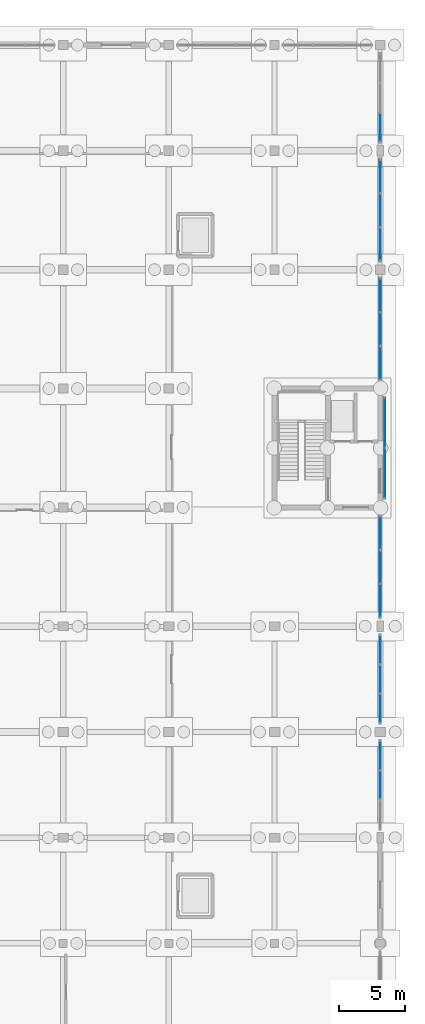
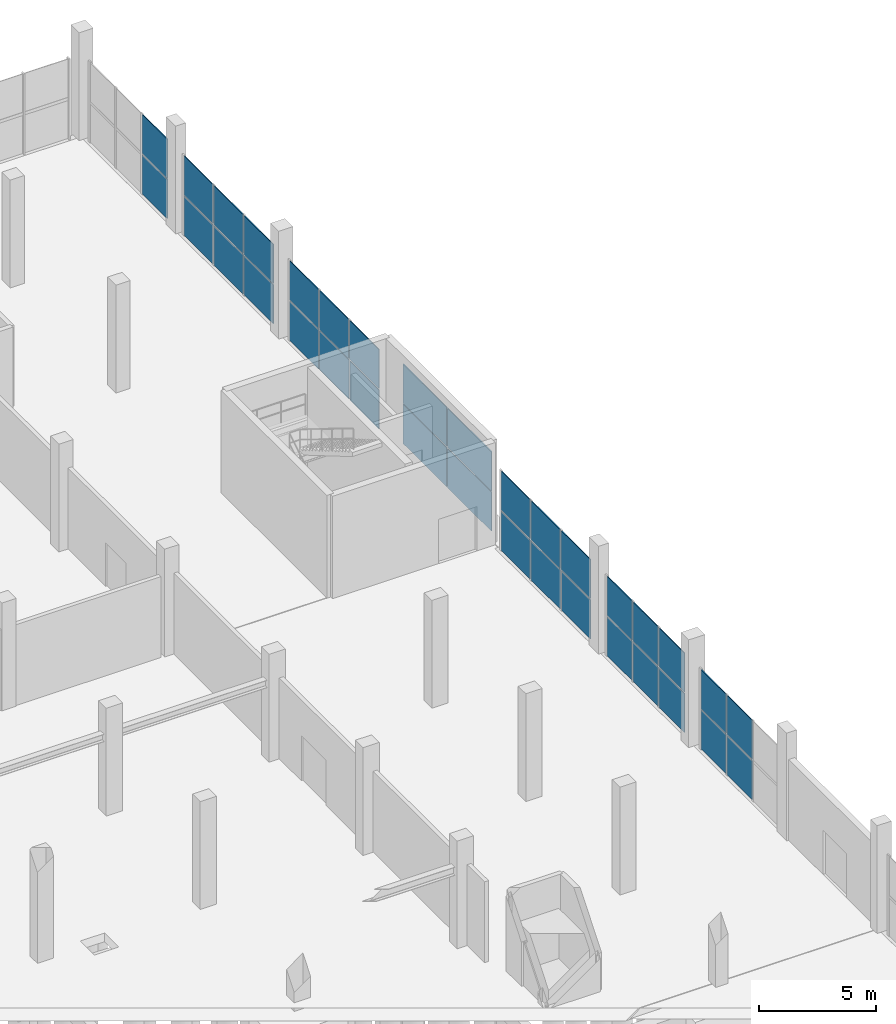
# One storey, part 69 of 98: 34 plates, 7 elements without a shape of their own.
"""IFC4 building model written with IfcOpenShell, lengths in metres."""

from ifc_helpers import new_model, si_unit, derived_unit, direction, frame, origin, origin_2d, place, context, subcontext, project, spatial, rectangle, extrude, material, layer, layer_set, type_object, element, aggregate, save


model = new_model("IFC4")

# Units and contexts
model_context = context("Model", 3, precision=1e-05, world=origin(), true_north=direction((0.0, 1.0)))
body_context = subcontext(model_context, "Body", "Model", "MODEL_VIEW")
ifc_project = project(units=[si_unit("LENGTHUNIT", "METRE"), si_unit("AREAUNIT", "SQUARE_METRE"), si_unit("VOLUMEUNIT", "CUBIC_METRE"), si_unit("PLANEANGLEUNIT", "RADIAN"), si_unit("MASSUNIT", "GRAM", prefix="KILO"), si_unit("THERMODYNAMICTEMPERATUREUNIT", "KELVIN"), derived_unit("THERMALTRANSMITTANCEUNIT", [(si_unit("POWERUNIT", "WATT"), 1), (si_unit("AREAUNIT", "SQUARE_METRE"), -1), (si_unit("THERMODYNAMICTEMPERATUREUNIT", "KELVIN"), -1)])], contexts=[model_context])

# Site, building, storey
site_placement = place(None, origin())
site = spatial("IfcSite", under=ifc_project, at=site_placement, CompositionType="ELEMENT")
building_placement = place(site_placement, origin())
building = spatial("IfcBuilding", under=site, at=building_placement, Name="Haiyu Intermodal Mobility Hub", CompositionType="ELEMENT")
storey_placement = place(building_placement, origin())
storey = spatial("IfcBuildingStorey", under=building, at=storey_placement, Name="L00", CompositionType="ELEMENT", Elevation=0.0)

# Curtain wall, plates
ifc_material = material(Name="Low-e laminated insulating glass", Category="glass")
ifc_layer_1 = layer(ifc_material, 0.2099609375)
ifc_layer_set_1 = layer_set([ifc_layer_1], Name="Low-e laminated insulating glass")
curtain_wall_type = type_object("IfcCurtainWallType", Name="CW-CW04", PredefinedType="NOTDEFINED", material=ifc_layer_set_1)
curtain_wall_1_placement = place(storey_placement, origin())
curtain_wall_1 = element("IfcCurtainWall", 1, at=curtain_wall_1_placement, inside=storey, type_object=curtain_wall_type, Name="Curtain Wall CW-V6E-L00-130", PredefinedType="NOTDEFINED")
ifc_layer_2 = layer(ifc_material, 0.035888671875)
ifc_layer_set_2 = layer_set([ifc_layer_2], Name="Low-e laminated insulating glass")
plate_type_1 = type_object("IfcPlateType", Name="PLT-CP01", PredefinedType="CURTAIN_PANEL", material=ifc_layer_set_2)
plate_1_placement = place(storey_placement, frame((210.0, 92.0, 0.03515625), z_axis=(0.0, 0.0, 1.0), x_axis=(0.0, 1.0, 0.0)))
plate_1 = element("IfcPlate", 2, at=plate_1_placement, type_object=plate_type_1, Name="CW-V6E-L00-130-PN03", PredefinedType="CURTAIN_PANEL", context=body_context, shape_type="SweptSolid", body=[
    extrude(rectangle(XDim=2.136962890625, YDim=0.035888671875, at=origin_2d()), origin(), (0.0, 0.0, 1.0), 2.030029296875),
])
plate_2_placement = place(storey_placement, frame((210.0, 94.22705078125, 0.03515625), z_axis=(0.0, 0.0, 1.0), x_axis=(0.0, 1.0, 0.0)))
plate_2 = element("IfcPlate", 3, at=plate_2_placement, type_object=plate_type_1, Name="CW-V6E-L00-130-PN05", PredefinedType="CURTAIN_PANEL", context=body_context, shape_type="SweptSolid", body=[
    extrude(rectangle(XDim=2.136962890625, YDim=0.035888671875, at=origin_2d()), origin(), (0.0, 0.0, 1.0), 2.030029296875),
])

curtain_wall_2_placement = place(storey_placement, origin())
curtain_wall_2 = element("IfcCurtainWall", 4, at=curtain_wall_2_placement, inside=storey, type_object=curtain_wall_type, Name="Curtain Wall CW-V6E-L00-131", PredefinedType="NOTDEFINED")
plate_3_placement = place(storey_placement, frame((210.0, 97.77294921875, 0.03515625), z_axis=(0.0, 0.0, 1.0), x_axis=(0.0, 1.0, 0.0)))
plate_3 = element("IfcPlate", 5, at=plate_3_placement, type_object=plate_type_1, Name="CW-V6E-L00-131-PN01", PredefinedType="CURTAIN_PANEL", context=body_context, shape_type="SweptSolid", body=[
    extrude(rectangle(XDim=2.136962890625, YDim=0.035888671875, at=origin_2d()), origin(), (0.0, 0.0, 1.0), 2.030029296875),
])
plate_4_placement = place(storey_placement, frame((210.0, 100.0, 0.03515625), z_axis=(0.0, 0.0, 1.0), x_axis=(0.0, 1.0, 0.0)))
plate_4 = element("IfcPlate", 6, at=plate_4_placement, type_object=plate_type_1, Name="CW-V6E-L00-131-PN03", PredefinedType="CURTAIN_PANEL", context=body_context, shape_type="SweptSolid", body=[
    extrude(rectangle(XDim=2.136962890625, YDim=0.035888671875, at=origin_2d()), origin(), (0.0, 0.0, 1.0), 2.030029296875),
])
plate_5_placement = place(storey_placement, frame((210.0, 102.22705078125, 0.03515625), z_axis=(0.0, 0.0, 1.0), x_axis=(0.0, 1.0, 0.0)))
plate_5 = element("IfcPlate", 7, at=plate_5_placement, type_object=plate_type_1, Name="CW-V6E-L00-131-PN05", PredefinedType="CURTAIN_PANEL", context=body_context, shape_type="SweptSolid", body=[
    extrude(rectangle(XDim=2.136962890625, YDim=0.035888671875, at=origin_2d()), origin(), (0.0, 0.0, 1.0), 2.030029296875),
])

curtain_wall_3_placement = place(storey_placement, origin())
curtain_wall_3 = element("IfcCurtainWall", 8, at=curtain_wall_3_placement, inside=storey, type_object=curtain_wall_type, Name="Curtain Wall CW-V6E-L00-132", PredefinedType="NOTDEFINED")
plate_6_placement = place(storey_placement, frame((210.0, 105.93994140625, 0.03515625), z_axis=(0.0, 0.0, 1.0), x_axis=(0.0, 1.0, 0.0)))
plate_6 = element("IfcPlate", 9, at=plate_6_placement, type_object=plate_type_1, Name="CW-V6E-L00-132-PN01", PredefinedType="CURTAIN_PANEL", context=body_context, shape_type="SweptSolid", body=[
    extrude(rectangle(XDim=2.469970703125, YDim=0.035888671875, at=origin_2d()), origin(), (0.0, 0.0, 1.0), 2.030029296875),
])
plate_7_placement = place(storey_placement, frame((210.0, 108.5, 0.03515625), z_axis=(0.0, 0.0, 1.0), x_axis=(0.0, 1.0, 0.0)))
plate_7 = element("IfcPlate", 10, at=plate_7_placement, type_object=plate_type_1, Name="CW-V6E-L00-132-PN03", PredefinedType="CURTAIN_PANEL", context=body_context, shape_type="SweptSolid", body=[
    extrude(rectangle(XDim=2.469970703125, YDim=0.035888671875, at=origin_2d()), origin(), (0.0, 0.0, 1.0), 2.030029296875),
])
plate_8_placement = place(storey_placement, frame((210.0, 111.06005859375, 0.03515625), z_axis=(0.0, 0.0, 1.0), x_axis=(0.0, 1.0, 0.0)))
plate_8 = element("IfcPlate", 11, at=plate_8_placement, type_object=plate_type_1, Name="CW-V6E-L00-132-PN05", PredefinedType="CURTAIN_PANEL", context=body_context, shape_type="SweptSolid", body=[
    extrude(rectangle(XDim=2.469970703125, YDim=0.035888671875, at=origin_2d()), origin(), (0.0, 0.0, 1.0), 2.030029296875),
])

curtain_wall_4_placement = place(storey_placement, origin())
curtain_wall_4 = element("IfcCurtainWall", 12, at=curtain_wall_4_placement, inside=storey, type_object=curtain_wall_type, Name="Curtain Wall CW-V6E-L00-133", PredefinedType="NOTDEFINED")
plate_9_placement = place(storey_placement, frame((210.0, 123.93994140625, 0.03515625), z_axis=(0.0, 0.0, 1.0), x_axis=(0.0, 1.0, 0.0)))
plate_9 = element("IfcPlate", 13, at=plate_9_placement, type_object=plate_type_1, Name="CW-V6E-L00-133-PN01", PredefinedType="CURTAIN_PANEL", context=body_context, shape_type="SweptSolid", body=[
    extrude(rectangle(XDim=2.469970703125, YDim=0.035888671875, at=origin_2d()), origin(), (0.0, 0.0, 1.0), 2.030029296875),
])
plate_10_placement = place(storey_placement, frame((210.0, 126.5, 0.03515625), z_axis=(0.0, 0.0, 1.0), x_axis=(0.0, 1.0, 0.0)))
plate_10 = element("IfcPlate", 14, at=plate_10_placement, type_object=plate_type_1, Name="CW-V6E-L00-133-PN03", PredefinedType="CURTAIN_PANEL", context=body_context, shape_type="SweptSolid", body=[
    extrude(rectangle(XDim=2.469970703125, YDim=0.035888671875, at=origin_2d()), origin(), (0.0, 0.0, 1.0), 2.030029296875),
])
plate_11_placement = place(storey_placement, frame((210.0, 129.06005859375, 0.03515625), z_axis=(0.0, 0.0, 1.0), x_axis=(0.0, 1.0, 0.0)))
plate_11 = element("IfcPlate", 15, at=plate_11_placement, type_object=plate_type_1, Name="CW-V6E-L00-133-PN05", PredefinedType="CURTAIN_PANEL", context=body_context, shape_type="SweptSolid", body=[
    extrude(rectangle(XDim=2.469970703125, YDim=0.035888671875, at=origin_2d()), origin(), (0.0, 0.0, 1.0), 2.030029296875),
])

curtain_wall_5_placement = place(storey_placement, origin())
curtain_wall_5 = element("IfcCurtainWall", 16, at=curtain_wall_5_placement, inside=storey, type_object=curtain_wall_type, Name="Curtain Wall CW-V6E-L00-134", PredefinedType="NOTDEFINED")
plate_12_placement = place(storey_placement, frame((210.0, 132.93994140625, 0.03515625), z_axis=(0.0, 0.0, 1.0), x_axis=(0.0, 1.0, 0.0)))
plate_12 = element("IfcPlate", 17, at=plate_12_placement, type_object=plate_type_1, Name="CW-V6E-L00-134-PN01", PredefinedType="CURTAIN_PANEL", context=body_context, shape_type="SweptSolid", body=[
    extrude(rectangle(XDim=2.469970703125, YDim=0.035888671875, at=origin_2d()), origin(), (0.0, 0.0, 1.0), 2.030029296875),
])
plate_13_placement = place(storey_placement, frame((210.0, 135.5, 0.03515625), z_axis=(0.0, 0.0, 1.0), x_axis=(0.0, 1.0, 0.0)))
plate_13 = element("IfcPlate", 18, at=plate_13_placement, type_object=plate_type_1, Name="CW-V6E-L00-134-PN03", PredefinedType="CURTAIN_PANEL", context=body_context, shape_type="SweptSolid", body=[
    extrude(rectangle(XDim=2.469970703125, YDim=0.035888671875, at=origin_2d()), origin(), (0.0, 0.0, 1.0), 2.030029296875),
])
plate_14_placement = place(storey_placement, frame((210.0, 138.06005859375, 0.03515625), z_axis=(0.0, 0.0, 1.0), x_axis=(0.0, 1.0, 0.0)))
plate_14 = element("IfcPlate", 19, at=plate_14_placement, type_object=plate_type_1, Name="CW-V6E-L00-134-PN05", PredefinedType="CURTAIN_PANEL", context=body_context, shape_type="SweptSolid", body=[
    extrude(rectangle(XDim=2.469970703125, YDim=0.035888671875, at=origin_2d()), origin(), (0.0, 0.0, 1.0), 2.030029296875),
])

# Curtain wall, plate
curtain_wall_6_placement = place(storey_placement, origin())
curtain_wall_6 = element("IfcCurtainWall", 20, at=curtain_wall_6_placement, inside=storey, type_object=curtain_wall_type, Name="Curtain Wall CW-V6E-L00-135", PredefinedType="NOTDEFINED")
plate_15_placement = place(storey_placement, frame((210.0, 141.77294921875, 0.03515625), z_axis=(0.0, 0.0, 1.0), x_axis=(0.0, 1.0, 0.0)))
plate_15 = element("IfcPlate", 21, at=plate_15_placement, type_object=plate_type_1, Name="CW-V6E-L00-135-PN01", PredefinedType="CURTAIN_PANEL", context=body_context, shape_type="SweptSolid", body=[
    extrude(rectangle(XDim=2.136962890625, YDim=0.035888671875, at=origin_2d()), origin(), (0.0, 0.0, 1.0), 2.030029296875),
])

# Curtain wall, plates
curtain_wall_7_placement = place(storey_placement, origin())
curtain_wall_7 = element("IfcCurtainWall", 22, at=curtain_wall_7_placement, inside=storey, type_object=curtain_wall_type, Name="Curtain Wall CW-ECORE-L00-183", PredefinedType="NOTDEFINED")
plate_16_placement = place(storey_placement, frame((210.35009765625, 115.594970703125, 0.03515625), z_axis=(0.0, 0.0, 1.0), x_axis=(0.0, 1.0, 0.0)))
plate_16 = element("IfcPlate", 23, at=plate_16_placement, type_object=plate_type_1, Name="CW-ECORE-L00-183-PN01", PredefinedType="CURTAIN_PANEL", context=body_context, shape_type="SweptSolid", body=[
    extrude(rectangle(XDim=3.719970703125, YDim=0.035888671875, at=origin_2d()), origin(), (0.0, 0.0, 1.0), 2.030029296875),
])
plate_17_placement = place(storey_placement, frame((210.35009765625, 119.405029296875, 0.03515625), z_axis=(0.0, 0.0, 1.0), x_axis=(0.0, 1.0, 0.0)))
plate_17 = element("IfcPlate", 24, at=plate_17_placement, type_object=plate_type_1, Name="CW-ECORE-L00-183-PN03", PredefinedType="CURTAIN_PANEL", context=body_context, shape_type="SweptSolid", body=[
    extrude(rectangle(XDim=3.719970703125, YDim=0.035888671875, at=origin_2d()), origin(), (0.0, 0.0, 1.0), 2.030029296875),
])

# Plate
ifc_layer_3 = layer(ifc_material, 0.0439453125)
ifc_layer_set_3 = layer_set([ifc_layer_3], Name="Low-e laminated insulating glass")
plate_type_2 = type_object("IfcPlateType", Name="PLT-CP04", PredefinedType="CURTAIN_PANEL", material=ifc_layer_set_3)
plate_18_placement = place(storey_placement, frame((210.0, 92.0, 2.134765625), z_axis=(0.0, 0.0, 1.0), x_axis=(0.0, 1.0, 0.0)))
plate_18 = element("IfcPlate", 25, at=plate_18_placement, type_object=plate_type_2, Name="CW-V6E-L00-130-PN04", PredefinedType="CURTAIN_PANEL", context=body_context, shape_type="SweptSolid", body=[
    extrude(rectangle(XDim=2.136962890625, YDim=0.0439453125, at=origin_2d()), origin(), (0.0, 0.0, 1.0), 2.030029296875),
])

plate_19_placement = place(storey_placement, frame((210.0, 94.22705078125, 2.134765625), z_axis=(0.0, 0.0, 1.0), x_axis=(0.0, 1.0, 0.0)))
plate_19 = element("IfcPlate", 26, at=plate_19_placement, type_object=plate_type_2, Name="CW-V6E-L00-130-PN06", PredefinedType="CURTAIN_PANEL", context=body_context, shape_type="SweptSolid", body=[
    extrude(rectangle(XDim=2.136962890625, YDim=0.0439453125, at=origin_2d()), origin(), (0.0, 0.0, 1.0), 2.030029296875),
])

aggregate(curtain_wall_1, [plate_1, plate_18, plate_2, plate_19])

plate_20_placement = place(storey_placement, frame((210.0, 97.77294921875, 2.134765625), z_axis=(0.0, 0.0, 1.0), x_axis=(0.0, 1.0, 0.0)))
plate_20 = element("IfcPlate", 27, at=plate_20_placement, type_object=plate_type_2, Name="CW-V6E-L00-131-PN02", PredefinedType="CURTAIN_PANEL", context=body_context, shape_type="SweptSolid", body=[
    extrude(rectangle(XDim=2.136962890625, YDim=0.0439453125, at=origin_2d()), origin(), (0.0, 0.0, 1.0), 2.030029296875),
])

plate_21_placement = place(storey_placement, frame((210.0, 100.0, 2.134765625), z_axis=(0.0, 0.0, 1.0), x_axis=(0.0, 1.0, 0.0)))
plate_21 = element("IfcPlate", 28, at=plate_21_placement, type_object=plate_type_2, Name="CW-V6E-L00-131-PN04", PredefinedType="CURTAIN_PANEL", context=body_context, shape_type="SweptSolid", body=[
    extrude(rectangle(XDim=2.136962890625, YDim=0.0439453125, at=origin_2d()), origin(), (0.0, 0.0, 1.0), 2.030029296875),
])

plate_22_placement = place(storey_placement, frame((210.0, 102.22705078125, 2.134765625), z_axis=(0.0, 0.0, 1.0), x_axis=(0.0, 1.0, 0.0)))
plate_22 = element("IfcPlate", 29, at=plate_22_placement, type_object=plate_type_2, Name="CW-V6E-L00-131-PN06", PredefinedType="CURTAIN_PANEL", context=body_context, shape_type="SweptSolid", body=[
    extrude(rectangle(XDim=2.136962890625, YDim=0.0439453125, at=origin_2d()), origin(), (0.0, 0.0, 1.0), 2.030029296875),
])

aggregate(curtain_wall_2, [plate_3, plate_20, plate_4, plate_21, plate_5, plate_22])

plate_23_placement = place(storey_placement, frame((210.0, 105.93994140625, 2.134765625), z_axis=(0.0, 0.0, 1.0), x_axis=(0.0, 1.0, 0.0)))
plate_23 = element("IfcPlate", 30, at=plate_23_placement, type_object=plate_type_2, Name="CW-V6E-L00-132-PN02", PredefinedType="CURTAIN_PANEL", context=body_context, shape_type="SweptSolid", body=[
    extrude(rectangle(XDim=2.469970703125, YDim=0.0439453125, at=origin_2d()), origin(), (0.0, 0.0, 1.0), 2.030029296875),
])

plate_24_placement = place(storey_placement, frame((210.0, 108.5, 2.134765625), z_axis=(0.0, 0.0, 1.0), x_axis=(0.0, 1.0, 0.0)))
plate_24 = element("IfcPlate", 31, at=plate_24_placement, type_object=plate_type_2, Name="CW-V6E-L00-132-PN04", PredefinedType="CURTAIN_PANEL", context=body_context, shape_type="SweptSolid", body=[
    extrude(rectangle(XDim=2.469970703125, YDim=0.0439453125, at=origin_2d()), origin(), (0.0, 0.0, 1.0), 2.030029296875),
])

plate_25_placement = place(storey_placement, frame((210.0, 111.06005859375, 2.134765625), z_axis=(0.0, 0.0, 1.0), x_axis=(0.0, 1.0, 0.0)))
plate_25 = element("IfcPlate", 32, at=plate_25_placement, type_object=plate_type_2, Name="CW-V6E-L00-132-PN06", PredefinedType="CURTAIN_PANEL", context=body_context, shape_type="SweptSolid", body=[
    extrude(rectangle(XDim=2.469970703125, YDim=0.0439453125, at=origin_2d()), origin(), (0.0, 0.0, 1.0), 2.030029296875),
])

aggregate(curtain_wall_3, [plate_6, plate_23, plate_7, plate_24, plate_8, plate_25])

plate_26_placement = place(storey_placement, frame((210.0, 123.93994140625, 2.134765625), z_axis=(0.0, 0.0, 1.0), x_axis=(0.0, 1.0, 0.0)))
plate_26 = element("IfcPlate", 33, at=plate_26_placement, type_object=plate_type_2, Name="CW-V6E-L00-133-PN02", PredefinedType="CURTAIN_PANEL", context=body_context, shape_type="SweptSolid", body=[
    extrude(rectangle(XDim=2.469970703125, YDim=0.0439453125, at=origin_2d()), origin(), (0.0, 0.0, 1.0), 2.030029296875),
])

plate_27_placement = place(storey_placement, frame((210.0, 126.5, 2.134765625), z_axis=(0.0, 0.0, 1.0), x_axis=(0.0, 1.0, 0.0)))
plate_27 = element("IfcPlate", 34, at=plate_27_placement, type_object=plate_type_2, Name="CW-V6E-L00-133-PN04", PredefinedType="CURTAIN_PANEL", context=body_context, shape_type="SweptSolid", body=[
    extrude(rectangle(XDim=2.469970703125, YDim=0.0439453125, at=origin_2d()), origin(), (0.0, 0.0, 1.0), 2.030029296875),
])

plate_28_placement = place(storey_placement, frame((210.0, 129.06005859375, 2.134765625), z_axis=(0.0, 0.0, 1.0), x_axis=(0.0, 1.0, 0.0)))
plate_28 = element("IfcPlate", 35, at=plate_28_placement, type_object=plate_type_2, Name="CW-V6E-L00-133-PN06", PredefinedType="CURTAIN_PANEL", context=body_context, shape_type="SweptSolid", body=[
    extrude(rectangle(XDim=2.469970703125, YDim=0.0439453125, at=origin_2d()), origin(), (0.0, 0.0, 1.0), 2.030029296875),
])

aggregate(curtain_wall_4, [plate_9, plate_26, plate_10, plate_27, plate_11, plate_28])

plate_29_placement = place(storey_placement, frame((210.0, 132.93994140625, 2.134765625), z_axis=(0.0, 0.0, 1.0), x_axis=(0.0, 1.0, 0.0)))
plate_29 = element("IfcPlate", 36, at=plate_29_placement, type_object=plate_type_2, Name="CW-V6E-L00-134-PN02", PredefinedType="CURTAIN_PANEL", context=body_context, shape_type="SweptSolid", body=[
    extrude(rectangle(XDim=2.469970703125, YDim=0.0439453125, at=origin_2d()), origin(), (0.0, 0.0, 1.0), 2.030029296875),
])

plate_30_placement = place(storey_placement, frame((210.0, 135.5, 2.134765625), z_axis=(0.0, 0.0, 1.0), x_axis=(0.0, 1.0, 0.0)))
plate_30 = element("IfcPlate", 37, at=plate_30_placement, type_object=plate_type_2, Name="CW-V6E-L00-134-PN04", PredefinedType="CURTAIN_PANEL", context=body_context, shape_type="SweptSolid", body=[
    extrude(rectangle(XDim=2.469970703125, YDim=0.0439453125, at=origin_2d()), origin(), (0.0, 0.0, 1.0), 2.030029296875),
])

plate_31_placement = place(storey_placement, frame((210.0, 138.06005859375, 2.134765625), z_axis=(0.0, 0.0, 1.0), x_axis=(0.0, 1.0, 0.0)))
plate_31 = element("IfcPlate", 38, at=plate_31_placement, type_object=plate_type_2, Name="CW-V6E-L00-134-PN06", PredefinedType="CURTAIN_PANEL", context=body_context, shape_type="SweptSolid", body=[
    extrude(rectangle(XDim=2.469970703125, YDim=0.0439453125, at=origin_2d()), origin(), (0.0, 0.0, 1.0), 2.030029296875),
])

aggregate(curtain_wall_5, [plate_12, plate_29, plate_13, plate_30, plate_14, plate_31])

plate_32_placement = place(storey_placement, frame((210.0, 141.77294921875, 2.134765625), z_axis=(0.0, 0.0, 1.0), x_axis=(0.0, 1.0, 0.0)))
plate_32 = element("IfcPlate", 39, at=plate_32_placement, type_object=plate_type_2, Name="CW-V6E-L00-135-PN02", PredefinedType="CURTAIN_PANEL", context=body_context, shape_type="SweptSolid", body=[
    extrude(rectangle(XDim=2.136962890625, YDim=0.0439453125, at=origin_2d()), origin(), (0.0, 0.0, 1.0), 2.030029296875),
])

aggregate(curtain_wall_6, [plate_15, plate_32])

plate_33_placement = place(storey_placement, frame((210.35009765625, 115.594970703125, 2.134765625), z_axis=(0.0, 0.0, 1.0), x_axis=(0.0, 1.0, 0.0)))
plate_33 = element("IfcPlate", 40, at=plate_33_placement, type_object=plate_type_2, Name="CW-ECORE-L00-183-PN02", PredefinedType="CURTAIN_PANEL", context=body_context, shape_type="SweptSolid", body=[
    extrude(rectangle(XDim=3.719970703125, YDim=0.0439453125, at=origin_2d()), origin(), (0.0, 0.0, 1.0), 2.030029296875),
])

plate_34_placement = place(storey_placement, frame((210.35009765625, 119.405029296875, 2.134765625), z_axis=(0.0, 0.0, 1.0), x_axis=(0.0, 1.0, 0.0)))
plate_34 = element("IfcPlate", 41, at=plate_34_placement, type_object=plate_type_2, Name="CW-ECORE-L00-183-PN04", PredefinedType="CURTAIN_PANEL", context=body_context, shape_type="SweptSolid", body=[
    extrude(rectangle(XDim=3.719970703125, YDim=0.0439453125, at=origin_2d()), origin(), (0.0, 0.0, 1.0), 2.030029296875),
])

aggregate(curtain_wall_7, [plate_16, plate_33, plate_17, plate_34])

save(model, "model.ifc")
